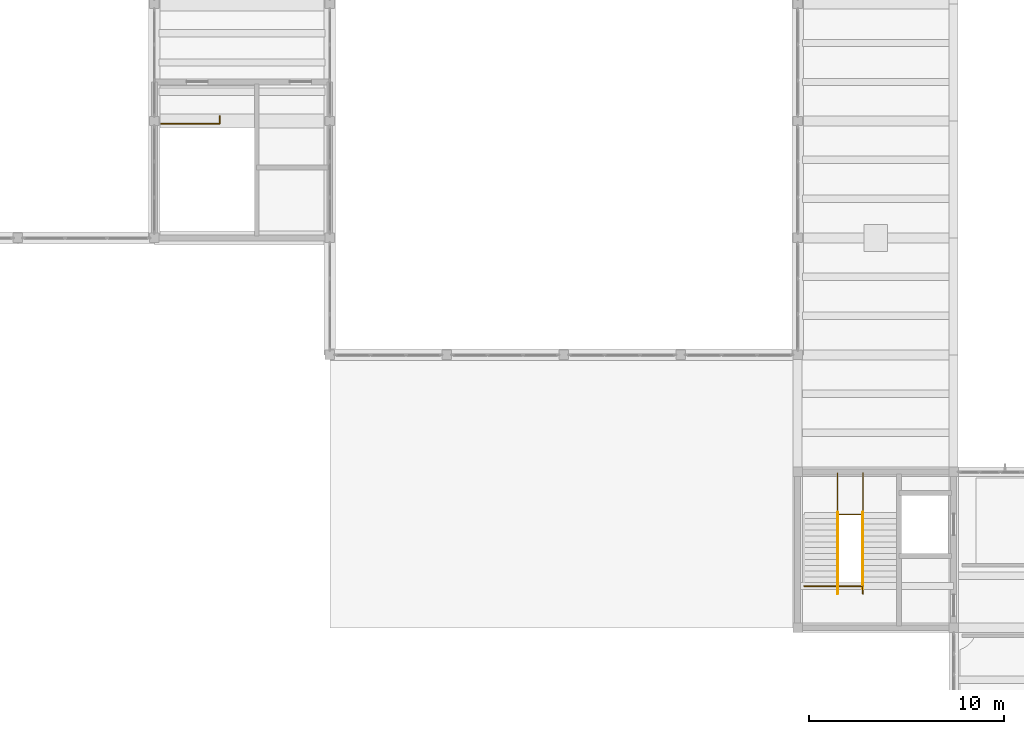
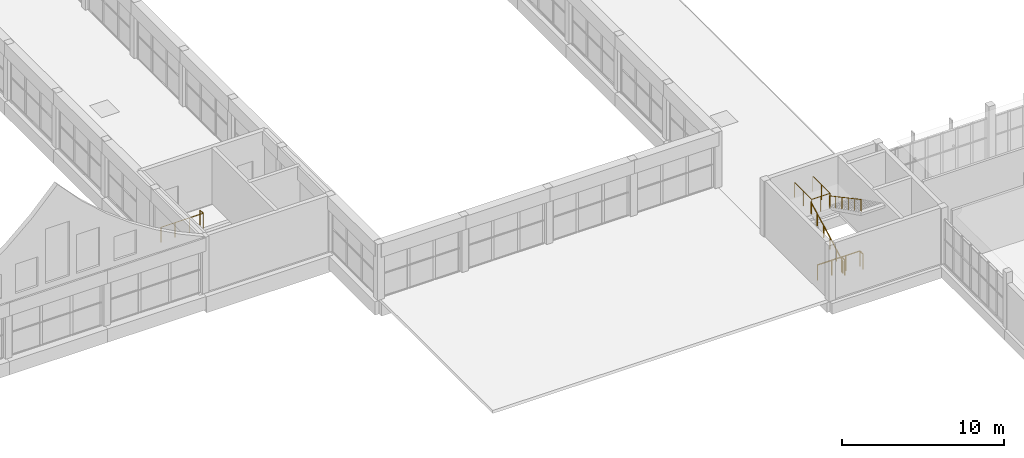
# One storey, part 63 of 70: 6 railings.
"""IFC4 building model written with IfcOpenShell, lengths in metres."""

from ifc_helpers import new_model, si_unit, direction, frame, origin, origin_2d, place, context, subcontext, project, spatial, circle, extrude, material, type_object, element, save


model = new_model("IFC4")

# Units and contexts
model_context = context("Model", 3, precision=1e-05, world=origin(), true_north=direction((0.0, 1.0)))
body_context = subcontext(model_context, "Body", "Model", "MODEL_VIEW")
ifc_project = project(units=[si_unit("LENGTHUNIT", "METRE"), si_unit("AREAUNIT", "SQUARE_METRE"), si_unit("VOLUMEUNIT", "CUBIC_METRE"), si_unit("PLANEANGLEUNIT", "RADIAN"), si_unit("MASSUNIT", "GRAM", prefix="KILO")], contexts=[model_context])

# Site, building, storey
site_placement = place(None, origin())
site = spatial("IfcSite", under=ifc_project, at=site_placement, CompositionType="ELEMENT")
building_placement = place(site_placement, origin())
building = spatial("IfcBuilding", under=site, at=building_placement, Name="Solvane Community Centre", CompositionType="ELEMENT")
storey_placement = place(building_placement, frame((0.0, 0.0, 9.60009765625)))
storey = spatial("IfcBuildingStorey", under=building, at=storey_placement, Name="L02", CompositionType="ELEMENT", Elevation=9.60009765625)

# Railings
ifc_material = material(Name="Anodised bronze aluminium AW-6063 T6", Category="aluminium")
railing_type_1 = type_object("IfcRailingType", Name="Interior Gallery & Stair Well Guard 1150mm", PredefinedType="BALUSTRADE", material=ifc_material)
railing_1_placement = place(storey_placement, frame((62.050048828125, 29.93994140625, 2.099853515625)))
element("IfcRailing", 1, at=railing_1_placement, inside=storey, type_object=railing_type_1, Name="Railing GR-L02-011", PredefinedType="BALUSTRADE", context=body_context, shape_type="SweptSolid", body=[
    extrude(circle(Radius=0.02392578125, at=origin_2d()), frame((0.0, 0.0, 1.1259765625), z_axis=(0.0, -1.0, 0.0), x_axis=(1.0, 0.0, 0.0)), (0.0, 0.0, 1.0), 2.119873046875),
    extrude(circle(Radius=0.02392578125, at=origin_2d()), frame((0.0, -2.119873046875, 1.1259765625), z_axis=(1.0, 0.0, 0.0), x_axis=(0.0, 1.0, 0.0)), (0.0, 0.0, 1.0), 1.300048828125),
    extrude(circle(Radius=0.02392578125, at=origin_2d()), frame((1.300048828125, -2.119873046875, 1.1259765625), z_axis=(0.0, 1.0, 0.0), x_axis=(-1.0, 0.0, 0.0)), (0.0, 0.0, 1.0), 2.119873046875),
    extrude(circle(Radius=0.02099609375, at=origin_2d()), origin(), (0.0, 0.0, 1.0), 1.101806640625),
    extrude(circle(Radius=0.02099609375, at=origin_2d()), frame((0.0, -1.06005859375, 0.0)), (0.0, 0.0, 1.0), 1.101806640625),
    extrude(circle(Radius=0.02099609375, at=origin_2d()), frame((0.0, -2.119873046875, 0.0)), (0.0, 0.0, 1.0), 1.101806640625),
    extrude(circle(Radius=0.02099609375, at=origin_2d()), frame((0.64990234375, -2.119873046875, 0.0)), (0.0, 0.0, 1.0), 1.101806640625),
    extrude(circle(Radius=0.02099609375, at=origin_2d()), frame((1.300048828125, -2.119873046875, 0.0)), (0.0, 0.0, 1.0), 1.101806640625),
    extrude(circle(Radius=0.02099609375, at=origin_2d()), frame((1.300048828125, -1.06005859375, 0.0)), (0.0, 0.0, 1.0), 1.101806640625),
    extrude(circle(Radius=0.02099609375, at=origin_2d()), frame((1.300048828125, 0.0, 0.0)), (0.0, 0.0, 1.0), 1.101806640625),
])
railing_2_placement = place(storey_placement, frame((60.340087890625, 24.139892578125, 0.0)))
element("IfcRailing", 2, at=railing_2_placement, inside=storey, type_object=railing_type_1, Name="Railing GR-L02-012", PredefinedType="BALUSTRADE", context=body_context, shape_type="SweptSolid", body=[
    extrude(circle(Radius=0.02392578125, at=origin_2d()), frame((0.0, 0.0, 1.1259765625), z_axis=(1.0, 0.0, 0.0), x_axis=(0.0, 1.0, 0.0)), (0.0, 0.0, 1.0), 3.010009765625),
    extrude(circle(Radius=0.02392578125, at=origin_2d()), frame((3.010009765625, 0.0, 1.1259765625), z_axis=(0.0, -1.0, 0.0), x_axis=(1.0, 0.0, 0.0)), (0.0, 0.0, 1.0), 0.389892578125),
    extrude(circle(Radius=0.02099609375, at=origin_2d()), origin(), (0.0, 0.0, 1.0), 1.101806640625),
    extrude(circle(Radius=0.02099609375, at=origin_2d()), frame((1.00341796875, 0.0, 0.0)), (0.0, 0.0, 1.0), 1.101806640625),
    extrude(circle(Radius=0.02099609375, at=origin_2d()), frame((2.006591796875, 0.0, 0.0)), (0.0, 0.0, 1.0), 1.101806640625),
    extrude(circle(Radius=0.02099609375, at=origin_2d()), frame((3.010009765625, 0.0, 0.0)), (0.0, 0.0, 1.0), 1.101806640625),
    extrude(circle(Radius=0.02099609375, at=origin_2d()), frame((3.010009765625, -0.389892578125, 0.0)), (0.0, 0.0, 1.0), 1.101806640625),
])
railing_3_placement = place(storey_placement, frame((62.050048828125, 23.75, 0.0)))
element("IfcRailing", 3, at=railing_3_placement, inside=storey, type_object=railing_type_1, Name="Railing GR-L02-013", PredefinedType="BALUSTRADE", context=body_context, shape_type="SweptSolid", body=[
    extrude(circle(Radius=0.02392578125, at=origin_2d()), frame((0.0, 0.0, 1.1259765625), z_axis=(0.0, 1.0, 0.0), x_axis=(-1.0, 0.0, 0.0)), (0.0, 0.0, 1.0), 0.389892578125),
    extrude(circle(Radius=0.02099609375, at=origin_2d()), origin(), (0.0, 0.0, 1.0), 1.101806640625),
    extrude(circle(Radius=0.02099609375, at=origin_2d()), frame((0.0, 0.389892578125, 0.0)), (0.0, 0.0, 1.0), 1.101806640625),
])
railing_4_placement = place(storey_placement, frame((27.340087890625, 47.860107421875, 0.0)))
element("IfcRailing", 4, at=railing_4_placement, inside=storey, type_object=railing_type_1, Name="Railing GR-L02-085", PredefinedType="BALUSTRADE", context=body_context, shape_type="SweptSolid", body=[
    extrude(circle(Radius=0.02392578125, at=origin_2d()), frame((0.0, 0.0, 1.1259765625), z_axis=(1.0, 0.0, 0.0), x_axis=(0.0, 1.0, 0.0)), (0.0, 0.0, 1.0), 3.010009765625),
    extrude(circle(Radius=0.02392578125, at=origin_2d()), frame((3.010009765625, 0.0, 1.1259765625), z_axis=(0.0, 1.0, 0.0), x_axis=(-1.0, 0.0, 0.0)), (0.0, 0.0, 1.0), 0.389892578125),
    extrude(circle(Radius=0.02099609375, at=origin_2d()), origin(), (0.0, 0.0, 1.0), 1.101806640625),
    extrude(circle(Radius=0.02099609375, at=origin_2d()), frame((1.00341796875, 0.0, 0.0)), (0.0, 0.0, 1.0), 1.101806640625),
    extrude(circle(Radius=0.02099609375, at=origin_2d()), frame((2.006591796875, 0.0, 0.0)), (0.0, 0.0, 1.0), 1.101806640625),
    extrude(circle(Radius=0.02099609375, at=origin_2d()), frame((3.010009765625, 0.0, 0.0)), (0.0, 0.0, 1.0), 1.101806640625),
    extrude(circle(Radius=0.02099609375, at=origin_2d()), frame((3.010009765625, 0.389892578125, 0.0)), (0.0, 0.0, 1.0), 1.101806640625),
])
railing_type_2 = type_object("IfcRailingType", Name="Stair Pitch Handrail 900mm", PredefinedType="HANDRAIL", material=ifc_material)
railing_5_placement = place(storey_placement, frame((62.050048828125, 24.0, 0.0)))
element("IfcRailing", 5, at=railing_5_placement, inside=storey, type_object=railing_type_2, Name="Railing HR-L02-009", PredefinedType="HANDRAIL", context=body_context, shape_type="SweptSolid", body=[
    extrude(circle(Radius=0.02392578125, at=origin_2d()), frame((0.0, 0.0, 0.8759765625), z_axis=(0.0, 0.881489763865, 0.472203130232), x_axis=(-1.0, 0.0, 0.0)), (0.0, 0.0, 1.0), 4.447021484375),
    extrude(circle(Radius=0.02099609375, at=origin_2d()), origin(), (0.0, 0.0, 1.0), 0.851806640625),
    extrude(circle(Radius=0.02099609375, at=origin_2d()), frame((0.0, 0.783935546875, 0.419921875)), (0.0, 0.0, 1.0), 0.851806640625),
    extrude(circle(Radius=0.02099609375, at=origin_2d()), frame((0.0, 1.56787109375, 0.83984375)), (0.0, 0.0, 1.0), 0.851806640625),
    extrude(circle(Radius=0.02099609375, at=origin_2d()), frame((0.0, 2.35205078125, 1.260009765625)), (0.0, 0.0, 1.0), 0.851806640625),
    extrude(circle(Radius=0.02099609375, at=origin_2d()), frame((0.0, 3.135986328125, 1.679931640625)), (0.0, 0.0, 1.0), 0.851806640625),
    extrude(circle(Radius=0.02099609375, at=origin_2d()), frame((0.0, 3.919921875, 2.099853515625)), (0.0, 0.0, 1.0), 0.851806640625),
])
railing_6_placement = place(storey_placement, frame((63.35009765625, 27.919921875, 2.099853515625)))
element("IfcRailing", 6, at=railing_6_placement, inside=storey, type_object=railing_type_2, Name="Railing HR-L02-010", PredefinedType="HANDRAIL", context=body_context, shape_type="SweptSolid", body=[
    extrude(circle(Radius=0.02392578125, at=origin_2d()), frame((0.0, 0.0, 0.8759765625), z_axis=(0.0, -0.881466911329, 0.472245787945), x_axis=(1.0, 0.0, 0.0)), (0.0, 0.0, 1.0), 4.447021484375),
    extrude(circle(Radius=0.02099609375, at=origin_2d()), origin(), (0.0, 0.0, 1.0), 0.851806640625),
    extrude(circle(Radius=0.02099609375, at=origin_2d()), frame((0.0, -0.783935546875, 0.419921875)), (0.0, 0.0, 1.0), 0.851806640625),
    extrude(circle(Radius=0.02099609375, at=origin_2d()), frame((0.0, -1.56787109375, 0.840087890625)), (0.0, 0.0, 1.0), 0.851806640625),
    extrude(circle(Radius=0.02099609375, at=origin_2d()), frame((0.0, -2.35205078125, 1.260009765625)), (0.0, 0.0, 1.0), 0.851806640625),
    extrude(circle(Radius=0.02099609375, at=origin_2d()), frame((0.0, -3.135986328125, 1.68017578125)), (0.0, 0.0, 1.0), 0.851806640625),
    extrude(circle(Radius=0.02099609375, at=origin_2d()), frame((0.0, -3.919921875, 2.10009765625)), (0.0, 0.0, 1.0), 0.851806640625),
])

save(model, "model.ifc")
